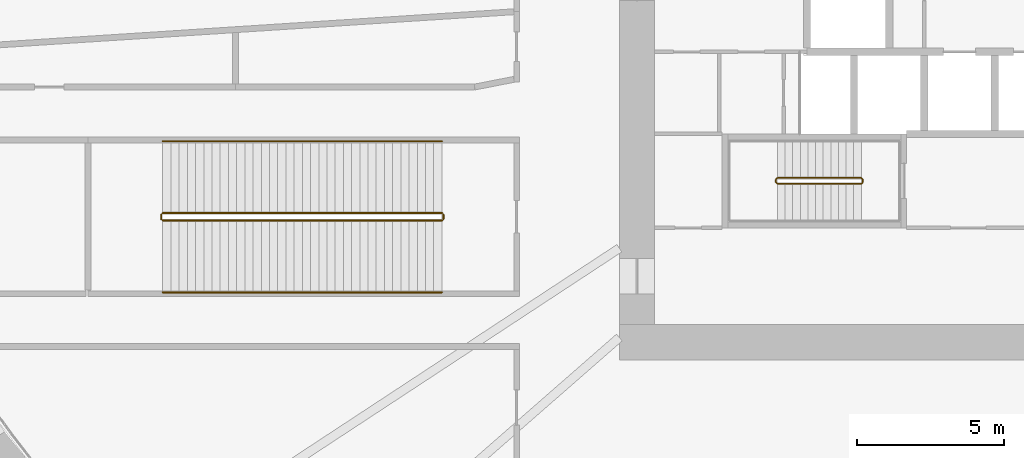
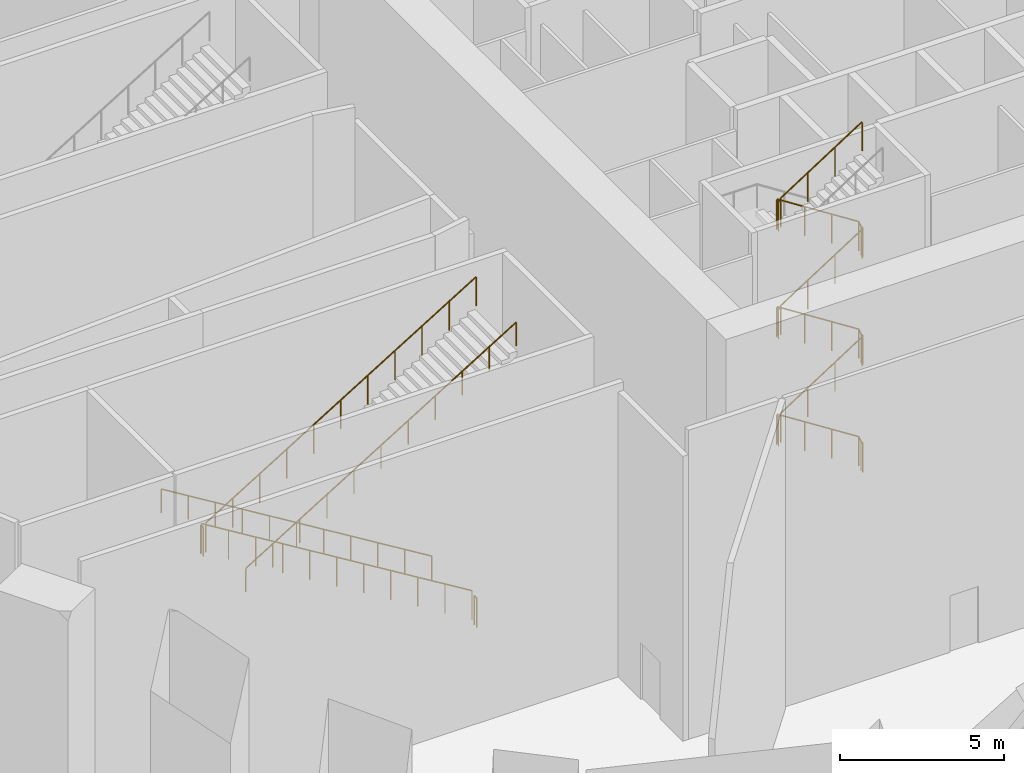
# One storey, part 13 of 21: 7 railings.
"""IFC4 building model written with IfcOpenShell, lengths in metres."""

from ifc_helpers import new_model, si_unit, direction, frame, origin, origin_2d, place, context, subcontext, project, spatial, circle, extrude, source, transform, mapped, material, type_object, element, save


model = new_model("IFC4")

# Units and contexts
model_context = context("Model", 3, precision=1e-05, world=origin(), true_north=direction((0.0, 1.0)))
body_context = subcontext(model_context, "Body", "Model", "MODEL_VIEW")
ifc_project = project(units=[si_unit("LENGTHUNIT", "METRE"), si_unit("AREAUNIT", "SQUARE_METRE"), si_unit("VOLUMEUNIT", "CUBIC_METRE"), si_unit("PLANEANGLEUNIT", "RADIAN"), si_unit("MASSUNIT", "GRAM", prefix="KILO")], contexts=[model_context])

# Site, building, storey
site_placement = place(None, origin())
site = spatial("IfcSite", under=ifc_project, at=site_placement, CompositionType="ELEMENT")
building_placement = place(site_placement, origin())
building = spatial("IfcBuilding", under=site, at=building_placement, Name="Embergate Tower", CompositionType="ELEMENT")
storey_placement = place(building_placement, frame((0.0, 0.0, 12.0)))
storey = spatial("IfcBuildingStorey", under=building, at=storey_placement, Name="L01", CompositionType="ELEMENT", Elevation=12.0)

# Railings
ifc_material_1 = material(Name="Stair guard 1100")
railing_type_1 = type_object("IfcRailingType", Name="Stair guard 1100", PredefinedType="GUARDRAIL", material=ifc_material_1)
shared_shape_1 = source(origin(), body_context, "Body", "SweptSolid", [
    extrude(circle(Radius=0.02392578125, at=origin_2d()), frame((0.0, 0.0, 1.076171875), z_axis=(0.0, 1.0, 0.0), x_axis=(-1.0, 0.0, 0.0)), (0.0, 0.0, 1.0), 0.099853515625),
    extrude(circle(Radius=0.02392578125, at=origin_2d()), frame((0.0, 0.099853515625, 1.076171875), z_axis=(-0.27628659633, 0.27628659633, 0.920506074601), x_axis=(-0.707106781187, -0.707106781187, 0.0)), (0.0, 0.0, 1.0), 0.18115234375),
    extrude(circle(Radius=0.02392578125, at=origin_2d()), frame((-0.050048828125, 0.14990234375, 1.24267578125), z_axis=(-0.841899231129, 0.0, 0.539634769658), x_axis=(0.0, -1.0, 0.0)), (0.0, 0.0, 1.0), 3.397216796875),
    extrude(circle(Radius=0.02392578125, at=origin_2d()), frame((-2.91015625, 0.14990234375, 3.076171875), z_axis=(-0.705375805398, -0.708833529934, 0.0), x_axis=(0.708833529934, -0.705375805398, 0.0)), (0.0, 0.0, 1.0), 0.070556640625),
    extrude(circle(Radius=0.02392578125, at=origin_2d()), frame((-2.9599609375, 0.099853515625, 3.076171875), z_axis=(0.0, -1.0, 0.0), x_axis=(1.0, 0.0, 0.0)), (0.0, 0.0, 1.0), 0.099853515625),
    extrude(circle(Radius=0.02392578125, at=origin_2d()), frame((-2.9599609375, 0.0, 3.076171875), z_axis=(0.275041040955, -0.276389281352, 0.920848191041), x_axis=(0.708833529934, 0.705375805398, 0.0)), (0.0, 0.0, 1.0), 0.18115234375),
    extrude(circle(Radius=0.02392578125, at=origin_2d()), frame((-2.91015625, -0.050048828125, 3.24267578125), z_axis=(0.841899231129, 0.0, 0.539634769658), x_axis=(0.0, 1.0, 0.0)), (0.0, 0.0, 1.0), 3.397216796875),
    extrude(circle(Radius=0.02392578125, at=origin_2d()), frame((-0.050048828125, -0.050048828125, 5.076171875), z_axis=(0.707106781187, 0.707106781187, 0.0), x_axis=(-0.707106781187, 0.707106781187, 0.0)), (0.0, 0.0, 1.0), 0.07080078125),
    extrude(circle(Radius=0.02392578125, at=origin_2d()), frame((0.0, 0.0, 5.076171875), z_axis=(0.0, 1.0, 0.0), x_axis=(-1.0, 0.0, 0.0)), (0.0, 0.0, 1.0), 0.099853515625),
    extrude(circle(Radius=0.02392578125, at=origin_2d()), frame((0.0, 0.099853515625, 5.076171875), z_axis=(-0.27628659633, 0.27628659633, 0.920506074601), x_axis=(-0.707106781187, -0.707106781187, 0.0)), (0.0, 0.0, 1.0), 0.18115234375),
    extrude(circle(Radius=0.02392578125, at=origin_2d()), frame((-0.050048828125, 0.14990234375, 5.24267578125), z_axis=(-0.841899231129, 0.0, 0.539634769658), x_axis=(0.0, -1.0, 0.0)), (0.0, 0.0, 1.0), 3.397216796875),
    extrude(circle(Radius=0.02392578125, at=origin_2d()), frame((-2.91015625, 0.14990234375, 7.076171875), z_axis=(-0.705375805398, -0.708833529934, 0.0), x_axis=(0.708833529934, -0.705375805398, 0.0)), (0.0, 0.0, 1.0), 0.070556640625),
    extrude(circle(Radius=0.02392578125, at=origin_2d()), frame((-2.9599609375, 0.099853515625, 7.076171875), z_axis=(0.0, -1.0, 0.0), x_axis=(1.0, 0.0, 0.0)), (0.0, 0.0, 1.0), 0.099853515625),
    extrude(circle(Radius=0.02392578125, at=origin_2d()), frame((-2.9599609375, 0.0, 7.076171875), z_axis=(0.275041040955, -0.276389281352, 0.920848191041), x_axis=(0.708833529934, 0.705375805398, 0.0)), (0.0, 0.0, 1.0), 0.18115234375),
    extrude(circle(Radius=0.02392578125, at=origin_2d()), frame((-2.91015625, -0.050048828125, 7.24267578125), z_axis=(0.841899231129, 0.0, 0.539634769658), x_axis=(0.0, 1.0, 0.0)), (0.0, 0.0, 1.0), 3.397216796875),
    extrude(circle(Radius=0.02392578125, at=origin_2d()), frame((-0.050048828125, -0.050048828125, 9.076171875), z_axis=(0.707106781187, 0.707106781187, 0.0), x_axis=(-0.707106781187, 0.707106781187, 0.0)), (0.0, 0.0, 1.0), 0.07080078125),
    extrude(circle(Radius=0.02392578125, at=origin_2d()), frame((0.0, 0.0, 9.076171875), z_axis=(0.0, 1.0, 0.0), x_axis=(-1.0, 0.0, 0.0)), (0.0, 0.0, 1.0), 0.099853515625),
    extrude(circle(Radius=0.02392578125, at=origin_2d()), frame((0.0, 0.099853515625, 9.076171875), z_axis=(-0.27628659633, 0.27628659633, 0.920506074601), x_axis=(-0.707106781187, -0.707106781187, 0.0)), (0.0, 0.0, 1.0), 0.18115234375),
    extrude(circle(Radius=0.02392578125, at=origin_2d()), frame((-0.050048828125, 0.14990234375, 9.24267578125), z_axis=(-0.841899231129, 0.0, 0.539634769658), x_axis=(0.0, -1.0, 0.0)), (0.0, 0.0, 1.0), 3.397216796875),
    extrude(circle(Radius=0.02392578125, at=origin_2d()), frame((-2.91015625, 0.14990234375, 11.076171875), z_axis=(-0.705375805398, -0.708833529934, 0.0), x_axis=(0.708833529934, -0.705375805398, 0.0)), (0.0, 0.0, 1.0), 0.070556640625),
    extrude(circle(Radius=0.02392578125, at=origin_2d()), frame((-2.9599609375, 0.099853515625, 11.076171875), z_axis=(0.0, -1.0, 0.0), x_axis=(1.0, 0.0, 0.0)), (0.0, 0.0, 1.0), 0.099853515625),
    extrude(circle(Radius=0.02392578125, at=origin_2d()), frame((-2.9599609375, 0.0, 11.076171875), z_axis=(0.275041040955, -0.276389281352, 0.920848191041), x_axis=(0.708833529934, 0.705375805398, 0.0)), (0.0, 0.0, 1.0), 0.18115234375),
    extrude(circle(Radius=0.02392578125, at=origin_2d()), frame((-2.91015625, -0.050048828125, 11.24267578125), z_axis=(0.841899231129, 0.0, 0.539634769658), x_axis=(0.0, 1.0, 0.0)), (0.0, 0.0, 1.0), 3.397216796875),
    extrude(circle(Radius=0.02099609375, at=origin_2d()), origin(), (0.0, 0.0, 1.0), 1.052001953125),
    extrude(circle(Radius=0.02099609375, at=origin_2d()), frame((0.0, 0.099853515625, 0.0)), (0.0, 0.0, 1.0), 1.052001953125),
    extrude(circle(Radius=0.02099609375, at=origin_2d()), frame((-0.050048828125, 0.14990234375, 0.166748046875)), (0.0, 0.0, 1.0), 1.052001953125),
    extrude(circle(Radius=0.02099609375, at=origin_2d()), frame((-1.00341796875, 0.14990234375, 0.77783203125)), (0.0, 0.0, 1.0), 1.052001953125),
    extrude(circle(Radius=0.02099609375, at=origin_2d()), frame((-1.956787109375, 0.14990234375, 1.388916015625)), (0.0, 0.0, 1.0), 1.052001953125),
    extrude(circle(Radius=0.02099609375, at=origin_2d()), frame((-2.91015625, 0.14990234375, 2.0)), (0.0, 0.0, 1.0), 1.052001953125),
    extrude(circle(Radius=0.02099609375, at=origin_2d()), frame((-2.9599609375, 0.099853515625, 2.0)), (0.0, 0.0, 1.0), 1.052001953125),
    extrude(circle(Radius=0.02099609375, at=origin_2d()), frame((-2.9599609375, 0.0, 2.0)), (0.0, 0.0, 1.0), 1.052001953125),
    extrude(circle(Radius=0.02099609375, at=origin_2d()), frame((-2.91015625, -0.050048828125, 2.166748046875)), (0.0, 0.0, 1.0), 1.052001953125),
    extrude(circle(Radius=0.02099609375, at=origin_2d()), frame((-1.956787109375, -0.050048828125, 2.77783203125)), (0.0, 0.0, 1.0), 1.052001953125),
    extrude(circle(Radius=0.02099609375, at=origin_2d()), frame((-1.00341796875, -0.050048828125, 3.388916015625)), (0.0, 0.0, 1.0), 1.052001953125),
    extrude(circle(Radius=0.02099609375, at=origin_2d()), frame((-0.050048828125, -0.050048828125, 4.0)), (0.0, 0.0, 1.0), 1.052001953125),
    extrude(circle(Radius=0.02099609375, at=origin_2d()), frame((0.0, 0.0, 4.0)), (0.0, 0.0, 1.0), 1.052001953125),
    extrude(circle(Radius=0.02099609375, at=origin_2d()), frame((0.0, 0.099853515625, 4.0)), (0.0, 0.0, 1.0), 1.052001953125),
    extrude(circle(Radius=0.02099609375, at=origin_2d()), frame((-0.050048828125, 0.14990234375, 4.166748046875)), (0.0, 0.0, 1.0), 1.052001953125),
    extrude(circle(Radius=0.02099609375, at=origin_2d()), frame((-1.00341796875, 0.14990234375, 4.77783203125)), (0.0, 0.0, 1.0), 1.052001953125),
    extrude(circle(Radius=0.02099609375, at=origin_2d()), frame((-1.956787109375, 0.14990234375, 5.388916015625)), (0.0, 0.0, 1.0), 1.052001953125),
    extrude(circle(Radius=0.02099609375, at=origin_2d()), frame((-2.91015625, 0.14990234375, 6.0)), (0.0, 0.0, 1.0), 1.052001953125),
    extrude(circle(Radius=0.02099609375, at=origin_2d()), frame((-2.9599609375, 0.099853515625, 6.0)), (0.0, 0.0, 1.0), 1.052001953125),
    extrude(circle(Radius=0.02099609375, at=origin_2d()), frame((-2.9599609375, 0.0, 6.0)), (0.0, 0.0, 1.0), 1.052001953125),
    extrude(circle(Radius=0.02099609375, at=origin_2d()), frame((-2.91015625, -0.050048828125, 6.166748046875)), (0.0, 0.0, 1.0), 1.052001953125),
    extrude(circle(Radius=0.02099609375, at=origin_2d()), frame((-1.956787109375, -0.050048828125, 6.77783203125)), (0.0, 0.0, 1.0), 1.052001953125),
    extrude(circle(Radius=0.02099609375, at=origin_2d()), frame((-1.00341796875, -0.050048828125, 7.388916015625)), (0.0, 0.0, 1.0), 1.052001953125),
    extrude(circle(Radius=0.02099609375, at=origin_2d()), frame((-0.050048828125, -0.050048828125, 8.0)), (0.0, 0.0, 1.0), 1.052001953125),
    extrude(circle(Radius=0.02099609375, at=origin_2d()), frame((0.0, 0.0, 8.0)), (0.0, 0.0, 1.0), 1.052001953125),
    extrude(circle(Radius=0.02099609375, at=origin_2d()), frame((0.0, 0.099853515625, 8.0)), (0.0, 0.0, 1.0), 1.052001953125),
    extrude(circle(Radius=0.02099609375, at=origin_2d()), frame((-0.050048828125, 0.14990234375, 8.166748046875)), (0.0, 0.0, 1.0), 1.052001953125),
    extrude(circle(Radius=0.02099609375, at=origin_2d()), frame((-1.00341796875, 0.14990234375, 8.77783203125)), (0.0, 0.0, 1.0), 1.052001953125),
    extrude(circle(Radius=0.02099609375, at=origin_2d()), frame((-1.956787109375, 0.14990234375, 9.388916015625)), (0.0, 0.0, 1.0), 1.052001953125),
    extrude(circle(Radius=0.02099609375, at=origin_2d()), frame((-2.91015625, 0.14990234375, 10.0)), (0.0, 0.0, 1.0), 1.052001953125),
    extrude(circle(Radius=0.02099609375, at=origin_2d()), frame((-2.9599609375, 0.099853515625, 10.0)), (0.0, 0.0, 1.0), 1.052001953125),
    extrude(circle(Radius=0.02099609375, at=origin_2d()), frame((-2.9599609375, 0.0, 10.0)), (0.0, 0.0, 1.0), 1.052001953125),
    extrude(circle(Radius=0.02099609375, at=origin_2d()), frame((-2.91015625, -0.050048828125, 10.166748046875)), (0.0, 0.0, 1.0), 1.052001953125),
    extrude(circle(Radius=0.02099609375, at=origin_2d()), frame((-1.956787109375, -0.050048828125, 10.77783203125)), (0.0, 0.0, 1.0), 1.052001953125),
    extrude(circle(Radius=0.02099609375, at=origin_2d()), frame((-1.00341796875, -0.050048828125, 11.388916015625)), (0.0, 0.0, 1.0), 1.052001953125),
    extrude(circle(Radius=0.02099609375, at=origin_2d()), frame((-0.050048828125, -0.050048828125, 12.0)), (0.0, 0.0, 1.0), 1.052001953125),
])
railing_1_placement = place(storey_placement, frame((-5.699951171875, -6.949951171875, 0.0)))
element("IfcRailing", 1, at=railing_1_placement, inside=storey, type_object=railing_type_1, Name="L01 ST3 stair guard 1", PredefinedType="GUARDRAIL", context=body_context, shape_type="MappedRepresentation", body=[
    mapped(shared_shape_1, transform((0.0, 0.0, 0.0))),
])
ifc_material_2 = material(Name="Steel", Category="steel")
railing_type_2 = type_object("IfcRailingType", Name="Podium stair guard 1100", PredefinedType="GUARDRAIL", material=ifc_material_2)
shared_shape_2 = source(origin(), body_context, "Body", "SweptSolid", [
    extrude(circle(Radius=0.02392578125, at=origin_2d()), frame((0.0, 0.0, 1.076171875), z_axis=(0.852850111455, 0.0, 0.522155807582), x_axis=(0.0, 1.0, 0.0)), (0.0, 0.0, 1.0), 11.16259765625),
    extrude(circle(Radius=0.02099609375, at=origin_2d()), origin(), (0.0, 0.0, 1.0), 1.052001953125),
    extrude(circle(Radius=0.02099609375, at=origin_2d()), frame((0.951904296875, 0.0, 0.582763671875)), (0.0, 0.0, 1.0), 1.052001953125),
    extrude(circle(Radius=0.02099609375, at=origin_2d()), frame((1.904052734375, 0.0, 1.165771484375)), (0.0, 0.0, 1.0), 1.052001953125),
    extrude(circle(Radius=0.02099609375, at=origin_2d()), frame((2.85595703125, 0.0, 1.74853515625)), (0.0, 0.0, 1.0), 1.052001953125),
    extrude(circle(Radius=0.02099609375, at=origin_2d()), frame((3.80810546875, 0.0, 2.33154296875)), (0.0, 0.0, 1.0), 1.052001953125),
    extrude(circle(Radius=0.02099609375, at=origin_2d()), frame((4.760009765625, 0.0, 2.914306640625)), (0.0, 0.0, 1.0), 1.052001953125),
    extrude(circle(Radius=0.02099609375, at=origin_2d()), frame((5.7119140625, 0.0, 3.4970703125)), (0.0, 0.0, 1.0), 1.052001953125),
    extrude(circle(Radius=0.02099609375, at=origin_2d()), frame((6.6640625, 0.0, 4.080078125)), (0.0, 0.0, 1.0), 1.052001953125),
    extrude(circle(Radius=0.02099609375, at=origin_2d()), frame((7.615966796875, 0.0, 4.662841796875)), (0.0, 0.0, 1.0), 1.052001953125),
    extrude(circle(Radius=0.02099609375, at=origin_2d()), frame((8.568115234375, 0.0, 5.245849609375)), (0.0, 0.0, 1.0), 1.052001953125),
    extrude(circle(Radius=0.02099609375, at=origin_2d()), frame((9.52001953125, 0.0, 5.82861328125)), (0.0, 0.0, 1.0), 1.052001953125),
])
railing_2_placement = place(storey_placement, frame((-29.570068359375, -8.25, 6.17138671875)))
element("IfcRailing", 2, at=railing_2_placement, inside=storey, type_object=railing_type_2, Name="L01 P4 stair guard 3", PredefinedType="GUARDRAIL", context=body_context, shape_type="MappedRepresentation", body=[
    mapped(shared_shape_2, transform((0.0, 0.0, 0.0))),
])
shared_shape_3 = source(origin(), body_context, "Body", "SweptSolid", [
    extrude(circle(Radius=0.02392578125, at=origin_2d()), frame((0.0, 0.0, 1.076171875), z_axis=(-0.852850111455, 0.0, 0.522155807582), x_axis=(0.0, -1.0, 0.0)), (0.0, 0.0, 1.0), 11.16259765625),
    extrude(circle(Radius=0.02099609375, at=origin_2d()), origin(), (0.0, 0.0, 1.0), 1.052001953125),
    extrude(circle(Radius=0.02099609375, at=origin_2d()), frame((-0.951904296875, 0.0, 0.582763671875)), (0.0, 0.0, 1.0), 1.052001953125),
    extrude(circle(Radius=0.02099609375, at=origin_2d()), frame((-1.904052734375, 0.0, 1.165771484375)), (0.0, 0.0, 1.0), 1.052001953125),
    extrude(circle(Radius=0.02099609375, at=origin_2d()), frame((-2.85595703125, 0.0, 1.74853515625)), (0.0, 0.0, 1.0), 1.052001953125),
    extrude(circle(Radius=0.02099609375, at=origin_2d()), frame((-3.80810546875, 0.0, 2.33154296875)), (0.0, 0.0, 1.0), 1.052001953125),
    extrude(circle(Radius=0.02099609375, at=origin_2d()), frame((-4.760009765625, 0.0, 2.914306640625)), (0.0, 0.0, 1.0), 1.052001953125),
    extrude(circle(Radius=0.02099609375, at=origin_2d()), frame((-5.7119140625, 0.0, 3.4970703125)), (0.0, 0.0, 1.0), 1.052001953125),
    extrude(circle(Radius=0.02099609375, at=origin_2d()), frame((-6.6640625, 0.0, 4.080078125)), (0.0, 0.0, 1.0), 1.052001953125),
    extrude(circle(Radius=0.02099609375, at=origin_2d()), frame((-7.615966796875, 0.0, 4.662841796875)), (0.0, 0.0, 1.0), 1.052001953125),
    extrude(circle(Radius=0.02099609375, at=origin_2d()), frame((-8.568115234375, 0.0, 5.245849609375)), (0.0, 0.0, 1.0), 1.052001953125),
    extrude(circle(Radius=0.02099609375, at=origin_2d()), frame((-9.52001953125, 0.0, 5.82861328125)), (0.0, 0.0, 1.0), 1.052001953125),
])
railing_3_placement = place(storey_placement, frame((-20.050048828125, -8.0, 0.17138671875)))
element("IfcRailing", 3, at=railing_3_placement, inside=storey, type_object=railing_type_2, Name="L01 P4 stair guard 1", PredefinedType="GUARDRAIL", context=body_context, shape_type="MappedRepresentation", body=[
    mapped(shared_shape_3, transform((0.0, 0.0, 0.0))),
])
railing_type_3 = type_object("IfcRailingType", Name="Podium stair handrail 900", PredefinedType="HANDRAIL", material=ifc_material_2)
shared_shape_4 = source(origin(), body_context, "Body", "SweptSolid", [
    extrude(circle(Radius=0.02392578125, at=origin_2d()), frame((0.0, 0.0, 0.8759765625), z_axis=(0.852850111455, 0.0, 0.522155807582), x_axis=(0.0, 1.0, 0.0)), (0.0, 0.0, 1.0), 11.16259765625),
    extrude(circle(Radius=0.02099609375, at=origin_2d()), origin(), (0.0, 0.0, 1.0), 0.851806640625),
    extrude(circle(Radius=0.02099609375, at=origin_2d()), frame((0.951904296875, 0.0, 0.582763671875)), (0.0, 0.0, 1.0), 0.851806640625),
    extrude(circle(Radius=0.02099609375, at=origin_2d()), frame((1.904052734375, 0.0, 1.165771484375)), (0.0, 0.0, 1.0), 0.851806640625),
    extrude(circle(Radius=0.02099609375, at=origin_2d()), frame((2.85595703125, 0.0, 1.74853515625)), (0.0, 0.0, 1.0), 0.851806640625),
    extrude(circle(Radius=0.02099609375, at=origin_2d()), frame((3.80810546875, 0.0, 2.33154296875)), (0.0, 0.0, 1.0), 0.851806640625),
    extrude(circle(Radius=0.02099609375, at=origin_2d()), frame((4.760009765625, 0.0, 2.914306640625)), (0.0, 0.0, 1.0), 0.851806640625),
    extrude(circle(Radius=0.02099609375, at=origin_2d()), frame((5.7119140625, 0.0, 3.4970703125)), (0.0, 0.0, 1.0), 0.851806640625),
    extrude(circle(Radius=0.02099609375, at=origin_2d()), frame((6.6640625, 0.0, 4.080078125)), (0.0, 0.0, 1.0), 0.851806640625),
    extrude(circle(Radius=0.02099609375, at=origin_2d()), frame((7.615966796875, 0.0, 4.662841796875)), (0.0, 0.0, 1.0), 0.851806640625),
    extrude(circle(Radius=0.02099609375, at=origin_2d()), frame((8.568115234375, 0.0, 5.245849609375)), (0.0, 0.0, 1.0), 0.851806640625),
    extrude(circle(Radius=0.02099609375, at=origin_2d()), frame((9.52001953125, 0.0, 5.82861328125)), (0.0, 0.0, 1.0), 0.851806640625),
])
railing_4_placement = place(storey_placement, frame((-29.570068359375, -10.699951171875, 6.17138671875)))
element("IfcRailing", 4, at=railing_4_placement, inside=storey, type_object=railing_type_3, Name="L01 P4 stair handrail 2", PredefinedType="HANDRAIL", context=body_context, shape_type="MappedRepresentation", body=[
    mapped(shared_shape_4, transform((0.0, 0.0, 0.0))),
])
shared_shape_5 = source(origin(), body_context, "Body", "SweptSolid", [
    extrude(circle(Radius=0.02392578125, at=origin_2d()), frame((0.0, 0.0, 0.8759765625), z_axis=(-0.852850111455, 0.0, 0.522155807582), x_axis=(0.0, -1.0, 0.0)), (0.0, 0.0, 1.0), 11.16259765625),
    extrude(circle(Radius=0.02099609375, at=origin_2d()), origin(), (0.0, 0.0, 1.0), 0.851806640625),
    extrude(circle(Radius=0.02099609375, at=origin_2d()), frame((-0.951904296875, 0.0, 0.582763671875)), (0.0, 0.0, 1.0), 0.851806640625),
    extrude(circle(Radius=0.02099609375, at=origin_2d()), frame((-1.904052734375, 0.0, 1.165771484375)), (0.0, 0.0, 1.0), 0.851806640625),
    extrude(circle(Radius=0.02099609375, at=origin_2d()), frame((-2.85595703125, 0.0, 1.74853515625)), (0.0, 0.0, 1.0), 0.851806640625),
    extrude(circle(Radius=0.02099609375, at=origin_2d()), frame((-3.80810546875, 0.0, 2.33154296875)), (0.0, 0.0, 1.0), 0.851806640625),
    extrude(circle(Radius=0.02099609375, at=origin_2d()), frame((-4.760009765625, 0.0, 2.914306640625)), (0.0, 0.0, 1.0), 0.851806640625),
    extrude(circle(Radius=0.02099609375, at=origin_2d()), frame((-5.7119140625, 0.0, 3.4970703125)), (0.0, 0.0, 1.0), 0.851806640625),
    extrude(circle(Radius=0.02099609375, at=origin_2d()), frame((-6.6640625, 0.0, 4.080078125)), (0.0, 0.0, 1.0), 0.851806640625),
    extrude(circle(Radius=0.02099609375, at=origin_2d()), frame((-7.615966796875, 0.0, 4.662841796875)), (0.0, 0.0, 1.0), 0.851806640625),
    extrude(circle(Radius=0.02099609375, at=origin_2d()), frame((-8.568115234375, 0.0, 5.245849609375)), (0.0, 0.0, 1.0), 0.851806640625),
    extrude(circle(Radius=0.02099609375, at=origin_2d()), frame((-9.52001953125, 0.0, 5.82861328125)), (0.0, 0.0, 1.0), 0.851806640625),
])
railing_5_placement = place(storey_placement, frame((-20.050048828125, -5.550048828125, 0.17138671875)))
element("IfcRailing", 5, at=railing_5_placement, inside=storey, type_object=railing_type_3, Name="L01 P4 stair handrail 1", PredefinedType="HANDRAIL", context=body_context, shape_type="MappedRepresentation", body=[
    mapped(shared_shape_5, transform((0.0, 0.0, 0.0))),
])
shared_shape_6 = source(origin(), body_context, "Body", "SweptSolid", [
    extrude(circle(Radius=0.02392578125, at=origin_2d()), frame((0.0, 0.0, 1.076171875), z_axis=(0.0, -1.0, 0.0), x_axis=(1.0, 0.0, 0.0)), (0.0, 0.0, 1.0), 0.14990234375),
    extrude(circle(Radius=0.02099609375, at=origin_2d()), origin(), (0.0, 0.0, 1.0), 1.052001953125),
    extrude(circle(Radius=0.02099609375, at=origin_2d()), frame((0.0, -0.14990234375, 0.0)), (0.0, 0.0, 1.0), 1.052001953125),
])
for number, where, name in (
    (6, (-29.6201171875, -8.050048828125, 6.0), "L01 P4 stair guard 2"),
    (7, (-20.0, -8.050048828125, 0.0), "L01 P4 stair guard 4"),
):
    element("IfcRailing", number, at=place(storey_placement, frame(where)), inside=storey, type_object=railing_type_2, Name=name, PredefinedType="GUARDRAIL", context=body_context, shape_type="MappedRepresentation", body=[
        mapped(shared_shape_6, transform((0.0, 0.0, 0.0))),
    ])

save(model, "model.ifc")
